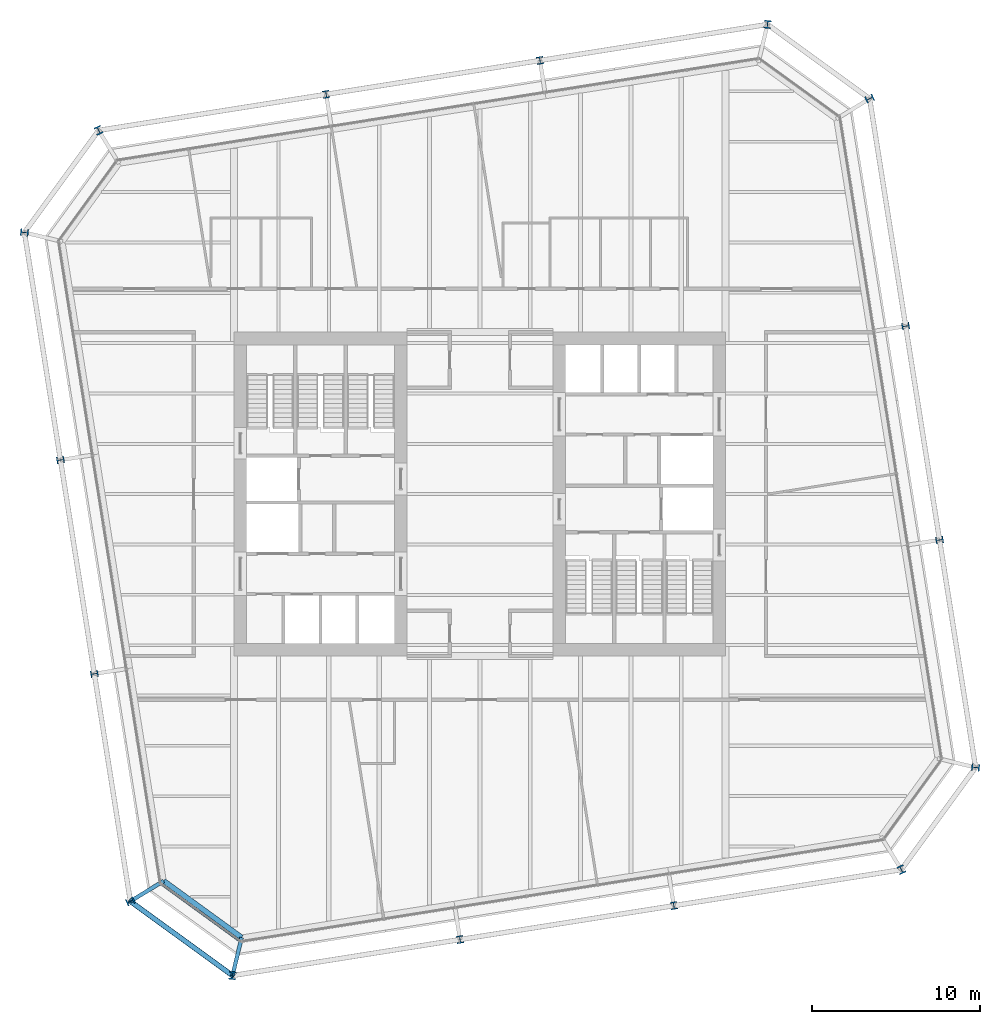
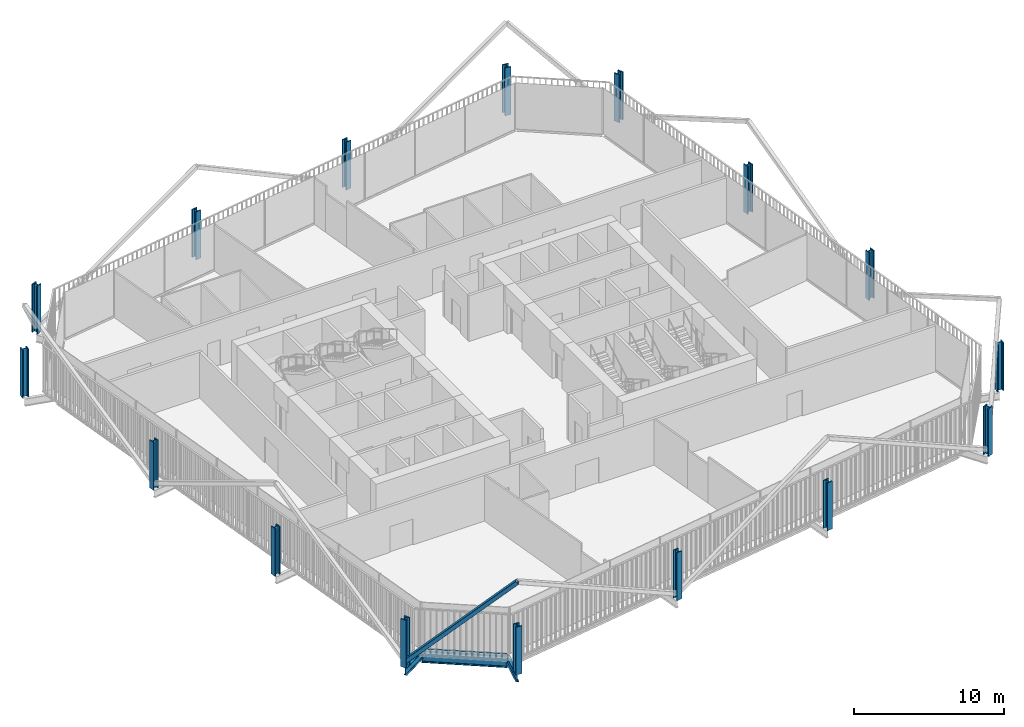
# One storey, part 1 of 22: 16 columns, 3 beams, 2 members, 1 element without a shape of its own.
"""IFC4 building model written with IfcOpenShell, lengths in metres."""

from ifc_helpers import new_model, si_unit, direction, frame, origin, origin_2d, place, context, subcontext, project, spatial, rectangle, hollow_rectangle, i_section, extrude, material, layer, layer_set, material_profile, profile_set, type_object, element, aggregate, save


model = new_model("IFC4")

# Units and contexts
model_context = context("Model", 3, precision=1e-05, world=origin(), true_north=direction((0.0, 1.0)))
body_context = subcontext(model_context, "Body", "Model", "MODEL_VIEW")
ifc_project = project(units=[si_unit("LENGTHUNIT", "METRE"), si_unit("AREAUNIT", "SQUARE_METRE"), si_unit("VOLUMEUNIT", "CUBIC_METRE"), si_unit("PLANEANGLEUNIT", "RADIAN"), si_unit("MASSUNIT", "GRAM", prefix="KILO")], contexts=[model_context])

# Site, building, storey
site_placement = place(None, origin())
site = spatial("IfcSite", under=ifc_project, at=site_placement, CompositionType="ELEMENT")
building_placement = place(site_placement, origin())
building = spatial("IfcBuilding", under=site, at=building_placement, Name="Millrace Tower", CompositionType="ELEMENT")
storey_placement = place(building_placement, frame((0.0, 0.0, 180.0)))
storey = spatial("IfcBuildingStorey", under=building, at=storey_placement, Name="L40", CompositionType="ELEMENT", Elevation=180.0)

# Columns
ifc_material_1 = material(Name="Steel ASTM A913 Grade 65", Category="steel")
ifc_material_profile_1 = material_profile(ifc_material_1, i_section(OverallWidth=0.419189453125, OverallDepth=0.45458984375, WebThickness=0.042236328125, FlangeThickness=0.067626953125, FilletRadius=0.01513671875, at=origin_2d()))
ifc_profile_set_1 = profile_set([ifc_material_profile_1], Name="Steel ASTM A913 Grade 65")
column_type_1 = type_object("IfcColumnType", Name="Exoskeleton column W14x370", PredefinedType="COLUMN", material=ifc_profile_set_1)
for number, where, z_axis, x_axis, name in (
    (1, (-1.181396484375, -26.545166015625, 0.0), (0.0, 0.0, 1.0), (0.987688339156, 0.156434474125, 0.0), "COL-C-L40-X03"),
    (2, (11.5595703125, -24.527099609375, 0.0), (0.0, 0.0, 1.0), (0.987688338239, 0.156434479917, 0.0), "COL-C-L40-X04"),
    (3, (27.39501953125, -2.7314453125, 0.0), (0.0, 0.0, 1.0), (-0.156434474125, 0.987688339156, 0.0), "COL-C-L40-X07"),
    (4, (25.376953125, 10.009765625, 0.0), (0.0, 0.0, 1.0), (-0.156434479917, 0.987688338239, 0.0), "COL-C-L40-X08"),
    (5, (3.58154296875, 25.844970703125, 0.0), (0.0, 0.0, 1.0), (-0.987688339156, -0.156434474125, 0.0), "COL-C-L40-X11"),
    (6, (-9.15966796875, 23.8271484375, 0.0), (0.0, 0.0, 1.0), (-0.987688338239, -0.156434479917, 0.0), "COL-C-L40-X12"),
    (7, (-24.9951171875, 2.031494140625, 0.0), (0.0, 0.0, 1.0), (0.156434474125, -0.987688339156, 0.0), "COL-C-L40-X15"),
    (8, (-22.97705078125, -10.709716796875, 0.0), (0.0, 0.0, 1.0), (0.156434479917, -0.987688338239, 0.0), "COL-C-L40-X16"),
):
    element("IfcColumn", number, at=place(storey_placement, frame(where, z_axis=z_axis, x_axis=x_axis)), inside=storey, type_object=column_type_1, Name=name, PredefinedType="COLUMN", context=body_context, shape_type="SweptSolid", body=[
        extrude(i_section(OverallWidth=0.419189453125, OverallDepth=0.45458984375, WebThickness=0.042236328125, FlangeThickness=0.067626953125, FilletRadius=0.01513671875, at=origin_2d()), origin(), (0.0, 0.0, 1.0), 3.89990234375),
    ])
ifc_material_2 = material(Name="Steel ASTM A913 Grade 65", Category="steel")
ifc_material_profile_2 = material_profile(ifc_material_2, i_section(OverallWidth=0.4267578125, OverallDepth=0.482666015625, WebThickness=0.05126953125, FlangeThickness=0.08154296875, FilletRadius=0.01513671875, at=origin_2d()))
ifc_profile_set_2 = profile_set([ifc_material_profile_2], Name="Steel ASTM A913 Grade 65")
column_type_2 = type_object("IfcColumnType", Name="Exoskeleton column W14x455", PredefinedType="COLUMN", material=ifc_profile_set_2)
for number, where, z_axis, x_axis, name in (
    (9, (-20.829345703125, -24.26904296875, 0.0), (0.0, 0.0, 1.0), (0.416401106568, -0.909181015227, 0.0), "COL-C-L40-X01"),
    (10, (-14.740966796875, -28.692626953125, 0.0), (0.0, 0.0, 1.0), (0.993357548409, -0.115068592665, 0.0), "COL-C-L40-X02"),
    (11, (25.119140625, -22.37939453125, 0.0), (0.0, 0.0, 1.0), (0.909181015227, 0.416401106568, 0.0), "COL-C-L40-X05"),
    (12, (29.542724609375, -16.291015625, 0.0), (0.0, 0.0, 1.0), (0.115068592665, 0.993357548409, 0.0), "COL-C-L40-X06"),
    (13, (23.2294921875, 23.569091796875, 0.0), (0.0, 0.0, 1.0), (-0.416401106568, 0.909181015227, 0.0), "COL-C-L40-X09"),
    (14, (17.140869140625, 27.99267578125, 0.0), (0.0, 0.0, 1.0), (-0.993357548409, 0.115068592665, 0.0), "COL-C-L40-X10"),
    (15, (-22.718994140625, 21.679443359375, 0.0), (0.0, 0.0, 1.0), (-0.909181015227, -0.416401106568, 0.0), "COL-C-L40-X13"),
    (16, (-27.142578125, 15.5908203125, 0.0), (0.0, 0.0, 1.0), (-0.115068592665, -0.993357548409, 0.0), "COL-C-L40-X14"),
):
    element("IfcColumn", number, at=place(storey_placement, frame(where, z_axis=z_axis, x_axis=x_axis)), inside=storey, type_object=column_type_2, Name=name, PredefinedType="COLUMN", context=body_context, shape_type="SweptSolid", body=[
        extrude(i_section(OverallWidth=0.4267578125, OverallDepth=0.482666015625, WebThickness=0.05126953125, FlangeThickness=0.08154296875, FilletRadius=0.01513671875, at=origin_2d()), origin(), (0.0, 0.0, 1.0), 3.89990234375),
    ])

# Curtain wall, member
ifc_material_3 = material(Name="Aluminium and glass", Category="aluminium")
ifc_layer = layer(ifc_material_3, 0.14990234375)
ifc_layer_set = layer_set([ifc_layer], Name="Aluminium and glass")
curtain_wall_type = type_object("IfcCurtainWallType", Name="CW-1 office vision curtain wall", PredefinedType="NOTDEFINED", material=ifc_layer_set)
curtain_wall_placement = place(storey_placement, origin())
curtain_wall = element("IfcCurtainWall", 17, at=curtain_wall_placement, inside=storey, type_object=curtain_wall_type, Name="Curtain wall C-F01 L40", PredefinedType="NOTDEFINED")
ifc_material_4 = material(Name="Aluminium", Category="aluminium")
ifc_material_profile_3 = material_profile(ifc_material_4, rectangle(XDim=0.14990234375, YDim=0.139892578125, at=origin_2d()))
ifc_profile_set_3 = profile_set([ifc_material_profile_3], Name="Aluminium")
member_type_1 = type_object("IfcMemberType", Name="CW-1 office vision curtain wall transom", PredefinedType="USERDEFINED", material=ifc_profile_set_3)
member_1_placement = place(storey_placement, frame((-18.94677734375, -23.25732421875, 0.070068359375), z_axis=(0.808998591139, -0.587810581339, 0.0), x_axis=(0.587810581339, 0.808998591139, 0.0)))
member_1 = element("IfcMember", 18, at=member_1_placement, type_object=member_type_1, Name="CW1 transom C-F01.1", ObjectType="TRANSOM", PredefinedType="USERDEFINED", context=body_context, shape_type="SweptSolid", body=[
    extrude(rectangle(XDim=0.14990234375, YDim=0.139892578125, at=origin_2d()), origin(), (0.0, 0.0, 1.0), 5.6689453125),
])
aggregate(curtain_wall, [member_1])

# Member
ifc_material_5 = material(Name="Steel ASTM A500 Grade C", Category="steel")
ifc_material_profile_4 = material_profile(ifc_material_5, hollow_rectangle(XDim=0.3046875, YDim=0.3046875, WallThickness=0.0126953125, InnerFilletRadius=0.00634765625, OuterFilletRadius=0.01904296875, at=origin_2d()))
ifc_profile_set_4 = profile_set([ifc_material_profile_4], Name="Steel ASTM A500 Grade C")
member_type_2 = type_object("IfcMemberType", Name="Exoskeleton brace HSS12x12x1/2", PredefinedType="BRACE", material=ifc_profile_set_4)
member_2_placement = place(storey_placement, frame((-20.829345703125, -24.26904296875, 0.39990234375), z_axis=(0.592372334541, -0.430395153162, 0.681069034243), x_axis=(0.587795495726, 0.809009551985, 0.0)))
element("IfcMember", 19, at=member_2_placement, inside=storey, type_object=member_type_2, Name="BRC-C-L40-01", PredefinedType="BRACE", context=body_context, shape_type="SweptSolid", body=[
    extrude(hollow_rectangle(XDim=0.3046875, YDim=0.3046875, WallThickness=0.0126953125, InnerFilletRadius=0.00634765625, OuterFilletRadius=0.01904296875, at=origin_2d()), origin(), (0.0, 0.0, 1.0), 10.278076171875),
])

# Beams
ifc_material_6 = material(Name="Steel ASTM A992 Grade 50", Category="steel")
ifc_material_profile_5 = material_profile(ifc_material_6, i_section(OverallWidth=0.23046875, OverallDepth=0.6171875, WebThickness=0.01318359375, FlangeThickness=0.022216796875, FilletRadius=0.012939453125, at=origin_2d()))
ifc_profile_set_5 = profile_set([ifc_material_profile_5], Name="Steel ASTM A992 Grade 50")
beam_type_1 = type_object("IfcBeamType", Name="Link beam W24x94", PredefinedType="BEAM", material=ifc_profile_set_5)
for number, where, z_axis, x_axis, name in (
    (20, (-18.841796875, -23.051025390625, -0.468505859375), (-0.852631355792, -0.522512938711, 0.0), (0.522512938711, -0.852631355792, 0.0), "LNK-C-L40-S1-01"),
    (21, (-14.19677734375, -26.426025390625, -0.468505859375), (-0.233456138164, -0.972367333652, 0.0), (0.972367333652, -0.233456138164, 0.0), "LNK-C-L40-S1-16"),
):
    element("IfcBeam", number, at=place(storey_placement, frame(where, z_axis=z_axis, x_axis=x_axis)), inside=storey, type_object=beam_type_1, Name=name, PredefinedType="BEAM", context=body_context, shape_type="SweptSolid", body=[
        extrude(i_section(OverallWidth=0.23046875, OverallDepth=0.6171875, WebThickness=0.01318359375, FlangeThickness=0.022216796875, FilletRadius=0.012939453125, at=origin_2d()), origin(), (0.0, 0.0, 1.0), 2.3310546875),
    ])
ifc_material_7 = material(Name="Steel ASTM A992 Grade 50", Category="steel")
ifc_material_profile_6 = material_profile(ifc_material_7, i_section(OverallWidth=0.307373046875, OverallDepth=0.927001953125, WebThickness=0.01953125, FlangeThickness=0.031982421875, FilletRadius=0.01904296875, at=origin_2d()))
ifc_profile_set_6 = profile_set([ifc_material_profile_6], Name="Steel ASTM A992 Grade 50")
beam_type_2 = type_object("IfcBeamType", Name="Ring beam short span W36x194", PredefinedType="SPANDREL", material=ifc_profile_set_6)
beam_placement = place(storey_placement, frame((-14.19677734375, -26.426025390625, -0.62353515625), z_axis=(-0.80900078054, 0.587807568074, 0.0), x_axis=(-0.587807568074, -0.80900078054, 0.0)))
element("IfcBeam", 22, at=beam_placement, inside=storey, type_object=beam_type_2, Name="RNG-C-L40-S1-16", PredefinedType="SPANDREL", context=body_context, shape_type="SweptSolid", body=[
    extrude(i_section(OverallWidth=0.307373046875, OverallDepth=0.927001953125, WebThickness=0.01953125, FlangeThickness=0.031982421875, FilletRadius=0.01904296875, at=origin_2d()), origin(), (0.0, 0.0, 1.0), 5.74169921875),
])

save(model, "model.ifc")
